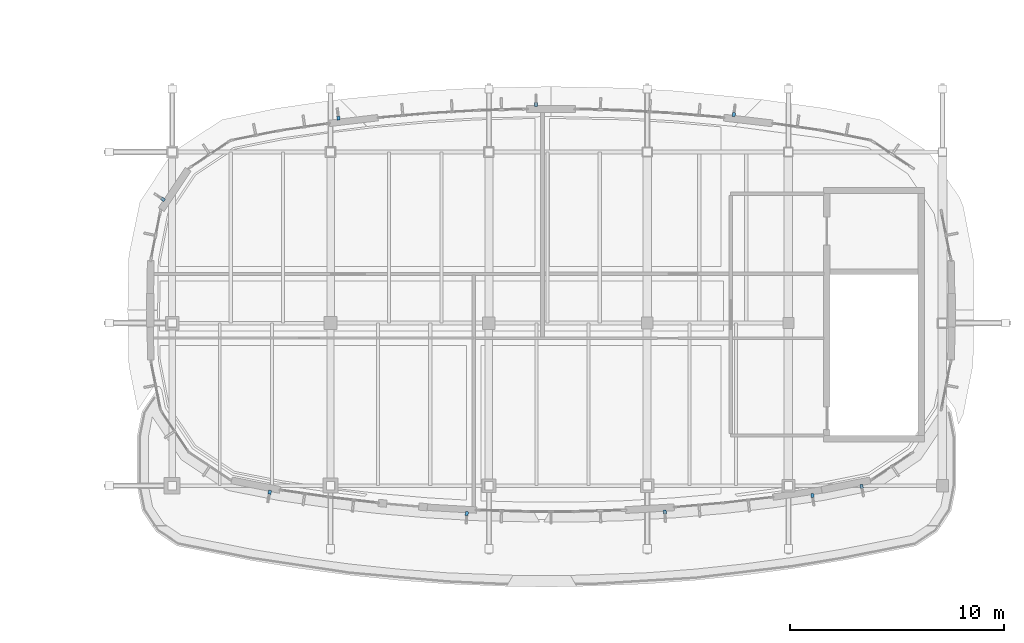
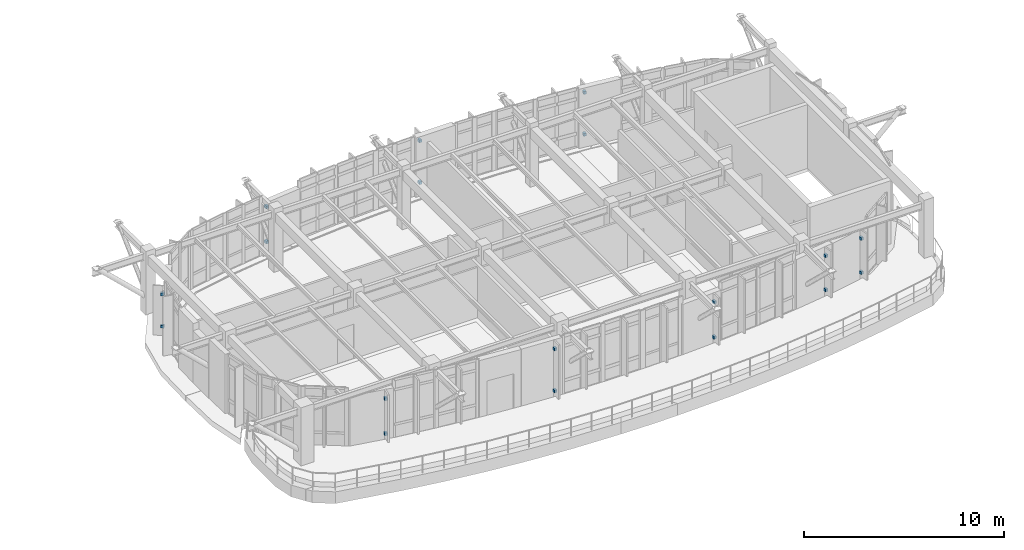
# One storey, part 88 of 105: 18 discrete accessories.
"""IFC4 building model written with IfcOpenShell, lengths in metres."""

import ifcopenshell
import ifcopenshell.guid

model = None  # the IFC model being written
_history = None  # IfcOwnerHistory: only IFC2X3 demands one
_inside = {}  # id of a spatial element -> (the spatial element, [elements in it])
_under = {}  # id of a project, library or spatial element -> (it, [spatial elements below it])
_declared = {}  # id of a project -> (the project, [libraries it declares])
_typed = {}  # id of a type object -> (the type object, [elements of that type])
_made_of = {}  # id of a material, layer set ... -> (it, [elements and type objects made of it])


def new_model(schema):
    """Start an empty IFC model of exactly this schema.

    Asked for "IFC4X3", IfcOpenShell would pick the latest addendum, in which some entities
    have other attributes; the version numbers below select the first issue.
    IFC2X3 requires an IfcOwnerHistory on every rooted entity: one is made here for all.
    """
    global model, _history
    if schema == "IFC4X3":
        model = ifcopenshell.file(schema_version=(4, 3, 0, 0))
    else:
        model = ifcopenshell.file(schema=schema)
    _inside.clear()
    _under.clear()
    _declared.clear()
    _typed.clear()
    _made_of.clear()
    _history = None
    if model.schema == "IFC2X3":
        org = make("IfcOrganization", Name="unknown")
        user = make(
            "IfcPersonAndOrganization",
            ThePerson=make("IfcPerson", FamilyName="unknown"),
            TheOrganization=org,
        )
        app = make(
            "IfcApplication",
            ApplicationDeveloper=org,
            Version="unknown",
            ApplicationFullName="unknown",
            ApplicationIdentifier="unknown",
        )
        _history = make(
            "IfcOwnerHistory",
            OwningUser=user,
            OwningApplication=app,
            ChangeAction="ADDED",
            CreationDate=0,
        )
    return model


def make(cls, **values):
    """One entity of the class cls with the attributes given. An attribute that is None is left unset."""
    return model.create_entity(
        cls, **{name: value for name, value in values.items() if value is not None}
    )


def rooted(cls, **values):
    """An entity with a GlobalId (a new one), such as an element, a storey or a relation."""
    return make(cls, GlobalId=ifcopenshell.guid.new(), OwnerHistory=_history, **values)


def si_unit(unit_type, name, prefix=None):
    """IfcSIUnit, for example si_unit("LENGTHUNIT", "METRE", prefix="MILLI")."""
    return make("IfcSIUnit", UnitType=unit_type, Prefix=prefix, Name=name)


def assignment(units):
    """IfcUnitAssignment: the units of a project."""
    return None if units is None else make("IfcUnitAssignment", Units=units)


def point(xyz):
    """IfcCartesianPoint."""
    return None if xyz is None else make("IfcCartesianPoint", Coordinates=xyz)


def direction(xyz):
    """IfcDirection."""
    return None if xyz is None else make("IfcDirection", DirectionRatios=xyz)


def frame(location, z_axis=None, x_axis=None):
    """IfcAxis2Placement3D, a coordinate frame: its origin and axes. An axis left out is left unset."""
    return make(
        "IfcAxis2Placement3D",
        Location=point(location),
        Axis=direction(z_axis),
        RefDirection=direction(x_axis),
    )


def frame_2d(location, x_axis=None):
    """IfcAxis2Placement2D, a coordinate frame in the plane: its origin and x axis."""
    return make(
        "IfcAxis2Placement2D", Location=point(location), RefDirection=direction(x_axis)
    )


def origin():
    """The frame at (0, 0, 0) with its axes left unset."""
    return frame((0.0, 0.0, 0.0))


def origin_2d():
    """The frame at (0, 0) in the plane with its x axis left unset."""
    return frame_2d((0.0, 0.0))


def place(relative_to, where):
    """IfcLocalPlacement: puts the frame where relative to a parent placement (None: the world)."""
    return make(
        "IfcLocalPlacement", PlacementRelTo=relative_to, RelativePlacement=where
    )


def context(
    kind, dimensions, precision=None, world=None, true_north=None, identifier=None
):
    """IfcGeometricRepresentationContext, for example the 3D "Model" context."""
    return make(
        "IfcGeometricRepresentationContext",
        ContextIdentifier=identifier,
        ContextType=kind,
        CoordinateSpaceDimension=dimensions,
        Precision=precision,
        WorldCoordinateSystem=world,
        TrueNorth=true_north,
    )


def subcontext(parent, identifier, kind, view, scale=None):
    """IfcGeometricRepresentationSubContext, for example "Body" below "Model"."""
    return make(
        "IfcGeometricRepresentationSubContext",
        ContextIdentifier=identifier,
        ContextType=kind,
        ParentContext=parent,
        TargetScale=scale,
        TargetView=view,
    )


def project(units=None, contexts=None):
    """IfcProject with its units and contexts."""
    return rooted(
        "IfcProject",
        Name="project",
        RepresentationContexts=contexts,
        UnitsInContext=assignment(units),
    )


def spatial(cls, under=None, at=None, **own):
    """A site, building, storey or space (cls), placed at a placement, below another one or the project."""
    s = rooted(cls, ObjectPlacement=at, **own)
    if under is not None:
        _under.setdefault(under.id(), (under, []))[1].append(s)
    return s


def profile(cls, at=None, kind="AREA", **sizes):
    """A parametric profile (cls). Its sizes go by their IFC names, for example OverallWidth=200.0."""
    return make(cls, ProfileType=kind, Position=at, **sizes)


def rectangle(**sizes):
    """IfcRectangleProfileDef."""
    return profile("IfcRectangleProfileDef", **sizes)


def extrude(swept, where, along, depth):
    """IfcExtrudedAreaSolid: the profile swept, set in the frame where, extruded along a direction by depth."""
    return make(
        "IfcExtrudedAreaSolid",
        SweptArea=swept,
        Position=where,
        ExtrudedDirection=direction(along),
        Depth=depth,
    )


def shape(context_of_items, identifier, shape_type, items):
    """IfcShapeRepresentation: the items that make up one representation, for example the "Body"."""
    return make(
        "IfcShapeRepresentation",
        ContextOfItems=context_of_items,
        RepresentationIdentifier=identifier,
        RepresentationType=shape_type,
        Items=items,
    )


def material(Name=None, Category=None):
    """IfcMaterial."""
    return make("IfcMaterial", Name=Name, Category=Category)


def made_of(thing, what):
    """Note that an element or type object is made of a material, layer set ...; save() writes the relation."""
    if what is not None:
        _made_of.setdefault(what.id(), (what, []))[1].append(thing)
    return thing


def type_object(cls, material=None, **own):
    """A type object (cls), such as IfcWallType, which elements share."""
    return made_of(rooted(cls, **own), material)


def element(
    cls,
    number,
    at=None,
    inside=None,
    cuts=None,
    type_object=None,
    material=None,
    context=None,
    identifier="Body",
    shape_type=None,
    held_by="IfcProductDefinitionShape",
    body=None,
    shapes=None,
    **own,
):
    """One element of the class cls, such as IfcWall. Its Tag is "e" and its number.

    at: its placement. inside: the storey or other place that contains it. cuts: it is an
    opening in that element (IfcRelVoidsElement). A single representation is given by context,
    identifier, shape_type and body (its items); several are given by shapes. held_by: the class
    of the entity that holds the representations. save() writes the other relations.
    """
    e = rooted(cls, Tag="e%d" % number, ObjectPlacement=at, **own)
    if body is not None:
        shapes = [shape(context, identifier, shape_type, body)]
    if shapes is not None:
        e.Representation = make(held_by, Representations=shapes)
    if inside is not None:
        _inside.setdefault(inside.id(), (inside, []))[1].append(e)
    if cuts is not None:
        rooted(
            "IfcRelVoidsElement", RelatingBuildingElement=cuts, RelatedOpeningElement=e
        )
    if type_object is not None:
        _typed.setdefault(type_object.id(), (type_object, []))[1].append(e)
    return made_of(e, material)


def aggregate(whole, parts):
    """IfcRelAggregates: a whole, such as a stair, and the parts it consists of."""
    return rooted("IfcRelAggregates", RelatingObject=whole, RelatedObjects=parts)


def save(model, path):
    """Write the relations noted so far, then the file.

    IfcRelAggregates (storeys below a building ...), IfcRelContainedInSpatialStructure (elements
    in a storey), IfcRelDefinesByType, IfcRelAssociatesMaterial and IfcRelDeclares: one each for
    every whole, place, type object, material and project.
    """
    for whole, parts in _under.values():
        aggregate(whole, parts)
    for where, things in _inside.values():
        rooted(
            "IfcRelContainedInSpatialStructure",
            RelatedElements=things,
            RelatingStructure=where,
        )
    for kind, things in _typed.values():
        rooted("IfcRelDefinesByType", RelatedObjects=things, RelatingType=kind)
    for what, things in _made_of.values():
        rooted("IfcRelAssociatesMaterial", RelatedObjects=things, RelatingMaterial=what)
    for by, libraries in _declared.values():
        rooted("IfcRelDeclares", RelatingContext=by, RelatedDefinitions=libraries)
    model.write(path)


model = new_model("IFC4")

# Units and contexts
model_context = context("Model", 3, precision=1e-05, world=origin(), true_north=direction((0.0, 1.0)))
body_context = subcontext(model_context, "Body", "Model", "MODEL_VIEW")
ifc_project = project(units=[si_unit("LENGTHUNIT", "METRE"), si_unit("AREAUNIT", "SQUARE_METRE"), si_unit("VOLUMEUNIT", "CUBIC_METRE"), si_unit("PLANEANGLEUNIT", "RADIAN"), si_unit("MASSUNIT", "GRAM", prefix="KILO")], contexts=[model_context])

# Site, building, storey
site_placement = place(None, origin())
site = spatial("IfcSite", under=ifc_project, at=site_placement, CompositionType="ELEMENT")
building_placement = place(site_placement, origin())
building = spatial("IfcBuilding", under=site, at=building_placement, Name="Corveleigh Park Community Centre", CompositionType="ELEMENT")
storey_placement = place(building_placement, frame((0.0, 0.0, 8.699951171875)))
storey = spatial("IfcBuildingStorey", under=building, at=storey_placement, Name="L02", CompositionType="ELEMENT", Elevation=8.699951171875)

# Discrete accessories
ifc_material = material(Name="Stainless steel 316 balustrade", Category="steel")
discrete_accessory_type = type_object("IfcDiscreteAccessoryType", Name="ACC-BRK-STL", PredefinedType="BRACKET", material=ifc_material)
for number, where, z_axis, x_axis, name in (
    (1, (85.76708984375, 9.89697265625, 0.5), (0.0, 0.0, 1.0), (-0.057596535089, -0.998339941676, 0.0), "Fin fixing bracket lower"),
    (2, (85.76708984375, 9.89697265625, 3.064208984375), (0.0, 0.0, 1.0), (-0.057596535089, -0.998339941676, 0.0), "Fin fixing bracket upper"),
    (3, (95.02294921875, 9.967041015625, 0.5), (0.0, 0.0, 1.0), (0.057596535089, -0.998339941676, 0.0), "Fin fixing bracket lower"),
    (4, (95.02294921875, 9.967041015625, 2.64306640625), (0.0, 0.0, 1.0), (0.057596535089, -0.998339941676, 0.0), "Fin fixing bracket upper"),
    (5, (101.923095703125, 10.7451171875, 0.5), (0.0, 0.0, 1.0), (0.144966003251, -0.989436636628, 0.0), "Fin fixing bracket lower"),
    (6, (101.923095703125, 10.7451171875, 2.587158203125), (0.0, 0.0, 1.0), (0.144966003251, -0.989436636628, 0.0), "Fin fixing bracket upper"),
    (7, (104.219970703125, 11.1669921875, 0.5), (0.0, 0.0, 1.0), (0.194947048267, -0.980813768445, 0.0), "Fin fixing bracket lower"),
    (8, (104.219970703125, 11.1669921875, 2.587158203125), (0.0, 0.0, 1.0), (0.194947048267, -0.980813768445, 0.0), "Fin fixing bracket upper"),
    (9, (98.2509765625, 28.549072265625, 0.5), (0.0, 0.0, 1.0), (0.116512098316, 0.993189272468, 0.0), "Fin fixing bracket lower"),
    (10, (98.2509765625, 28.549072265625, 3.064208984375), (0.0, 0.0, 1.0), (0.116512098316, 0.993189272468, 0.0), "Fin fixing bracket upper"),
    (11, (89.00390625, 29.01708984375, 0.5), (0.0, 0.0, 1.0), (0.0, 1.0, 0.0), "Fin fixing bracket lower"),
    (12, (89.00390625, 29.01708984375, 3.064208984375), (0.0, 0.0, 1.0), (0.0, 1.0, 0.0), "Fin fixing bracket upper"),
    (13, (79.76806640625, 28.376953125, 0.5), (0.0, 0.0, 1.0), (-0.116512098316, 0.993189272468, 0.0), "Fin fixing bracket lower"),
    (14, (79.76806640625, 28.376953125, 2.64306640625), (0.0, 0.0, 1.0), (-0.116512098316, 0.993189272468, 0.0), "Fin fixing bracket upper"),
    (15, (71.569091796875, 24.587890625, 0.5), (0.0, 0.0, 1.0), (-0.831711453149, 0.55520812197, 0.0), "Fin fixing bracket lower"),
    (16, (71.569091796875, 24.587890625, 2.47509765625), (0.0, 0.0, 1.0), (-0.831711453149, 0.55520812197, 0.0), "Fin fixing bracket upper"),
    (17, (76.556884765625, 10.89404296875, 0.5), (0.0, 0.0, 1.0), (-0.194947048267, -0.980813768445, 0.0), "Fin fixing bracket lower"),
    (18, (76.556884765625, 10.89404296875, 2.64208984375), (0.0, 0.0, 1.0), (-0.194947048267, -0.980813768445, 0.0), "Fin fixing bracket upper"),
):
    element("IfcDiscreteAccessory", number, at=place(storey_placement, frame(where, z_axis=z_axis, x_axis=x_axis)), inside=storey, type_object=discrete_accessory_type, Name=name, PredefinedType="BRACKET", context=body_context, shape_type="SweptSolid", body=[
        extrude(rectangle(XDim=0.179931640625, YDim=0.139892578125, at=origin_2d()), origin(), (0.0, 0.0, 1.0), 0.169921875),
    ])

save(model, "model.ifc")
